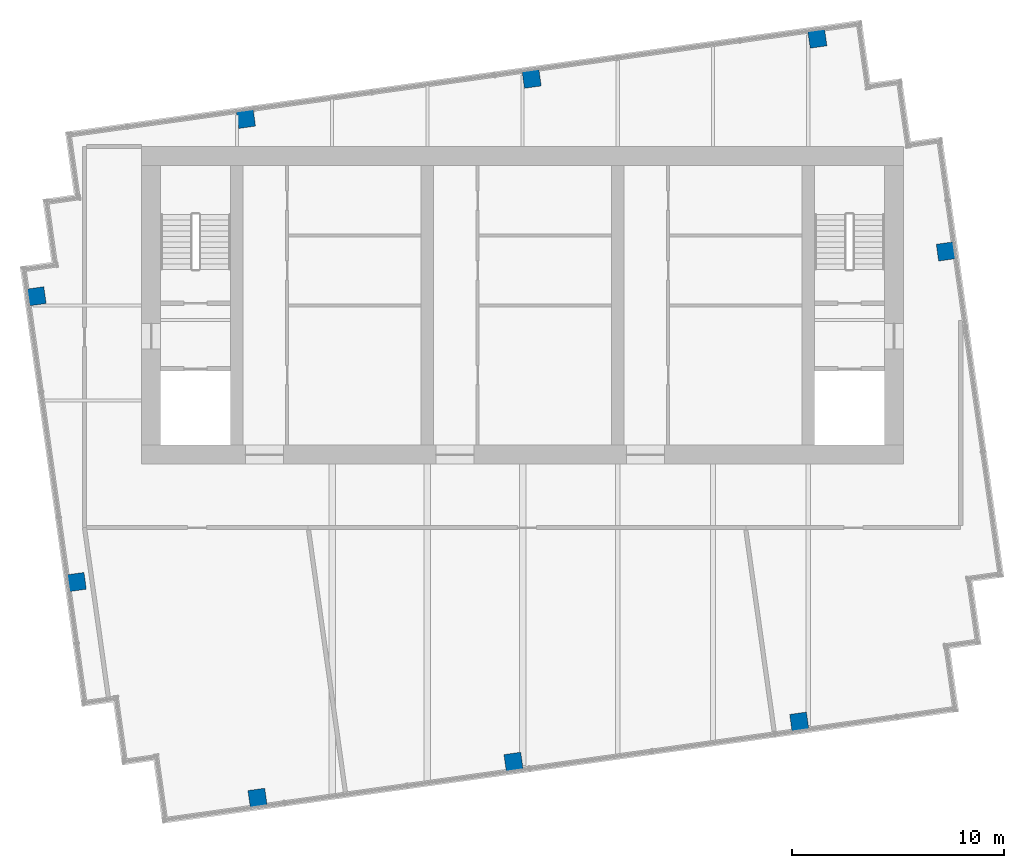
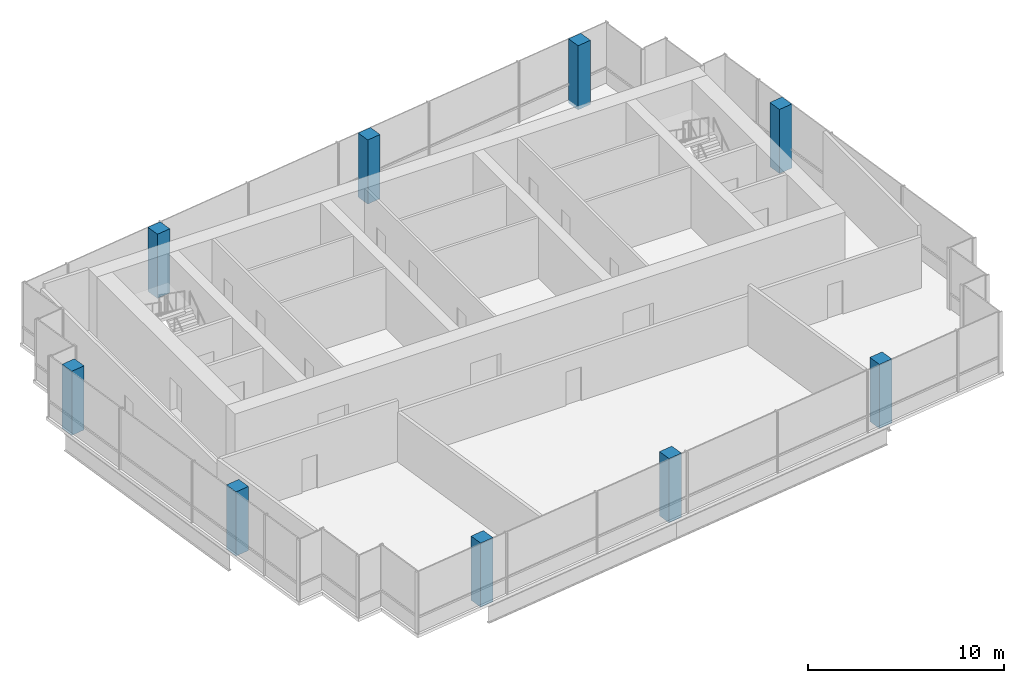
# One storey, part 1 of 9: 9 columns.
"""IFC4 building model written with IfcOpenShell, lengths in metres."""

from ifc_helpers import new_model, si_unit, direction, frame, origin, origin_2d, place, context, subcontext, project, spatial, rectangle, extrude, material, material_profile, profile_set, type_object, element, save


model = new_model("IFC4")

# Units and contexts
model_context = context("Model", 3, precision=1e-05, world=origin(), true_north=direction((0.0, 1.0)))
body_context = subcontext(model_context, "Body", "Model", "MODEL_VIEW")
ifc_project = project(units=[si_unit("LENGTHUNIT", "METRE"), si_unit("AREAUNIT", "SQUARE_METRE"), si_unit("VOLUMEUNIT", "CUBIC_METRE"), si_unit("PLANEANGLEUNIT", "RADIAN"), si_unit("MASSUNIT", "GRAM", prefix="KILO")], contexts=[model_context])

# Site, building, storey
site_placement = place(None, origin())
site = spatial("IfcSite", under=ifc_project, at=site_placement, CompositionType="ELEMENT")
building_placement = place(site_placement, origin())
building = spatial("IfcBuilding", under=site, at=building_placement, Name="Rattan Terrace Tower", CompositionType="ELEMENT")
storey_placement = place(building_placement, frame((0.0, 0.0, 304.300048828125)))
storey = spatial("IfcBuildingStorey", under=building, at=storey_placement, Name="C04", CompositionType="ELEMENT", Elevation=304.300048828125)

# Columns
ifc_material = material(Name="Concrete C40/50", Category="concrete")
ifc_material_profile = material_profile(ifc_material, rectangle(XDim=0.800048828125, YDim=0.800048828125, at=origin_2d()), Name="CFT 800x800")
ifc_profile_set = profile_set([ifc_material_profile], Name="Concrete C40/50")
column_type = type_object("IfcColumnType", Name="Frame lantern column CFT 800x800", PredefinedType="COLUMN", material=ifc_profile_set)
for number, where, z_axis, x_axis, name in (
    (1, (-12.52490234375, -23.26611328125, -0.199951171875), (0.0, 0.0, 1.0), (0.990265639562, 0.139190384377, 0.0), "exo-C04-001"),
    (2, (-0.428955078125, -21.56591796875, -0.199951171875), (0.0, 0.0, 1.0), (0.990265639562, 0.139190384377, 0.0), "exo-C04-002"),
    (3, (13.071044921875, -19.6689453125, -0.199951171875), (0.0, 0.0, 1.0), (0.990265639562, 0.139190384377, 0.0), "exo-C04-003"),
    (4, (-21.06591796875, -13.071044921875, -0.199951171875), (0.0, 0.0, 1.0), (-0.139190384377, 0.990265639562, 0.0), "exo-C04-004"),
    (5, (-22.962890625, 0.428955078125, -0.199951171875), (0.0, 0.0, 1.0), (-0.139190384377, 0.990265639562, 0.0), "exo-C04-005"),
    (6, (19.9990234375, 2.5458984375, -0.199951171875), (0.0, 0.0, 1.0), (-0.139190384377, 0.990265639562, 0.0), "exo-C04-006"),
    (7, (-13.071044921875, 8.80908203125, -0.199951171875), (0.0, 0.0, 1.0), (0.990265639562, 0.139190384377, 0.0), "exo-C04-007"),
    (8, (0.428955078125, 10.70703125, -0.199951171875), (0.0, 0.0, 1.0), (0.990265639562, 0.139190384377, 0.0), "exo-C04-008"),
    (9, (13.928955078125, 12.60400390625, -0.199951171875), (0.0, 0.0, 1.0), (0.990265639562, 0.139190384377, 0.0), "exo-C04-009"),
):
    element("IfcColumn", number, at=place(storey_placement, frame(where, z_axis=z_axis, x_axis=x_axis)), inside=storey, type_object=column_type, Name=name, PredefinedType="COLUMN", context=body_context, shape_type="SweptSolid", body=[
        extrude(rectangle(XDim=0.800048828125, YDim=0.800048828125, at=origin_2d()), origin(), (0.0, 0.0, 1.0), 4.0),
    ])

save(model, "model.ifc")
